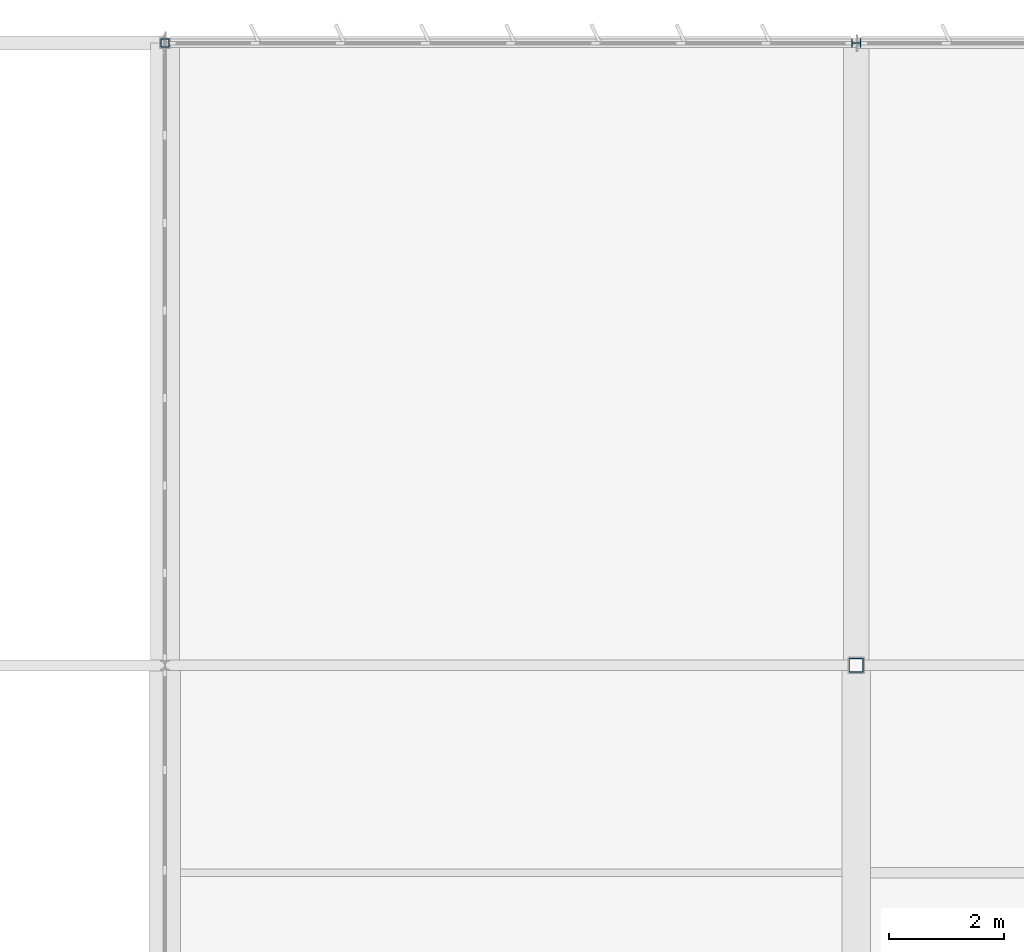
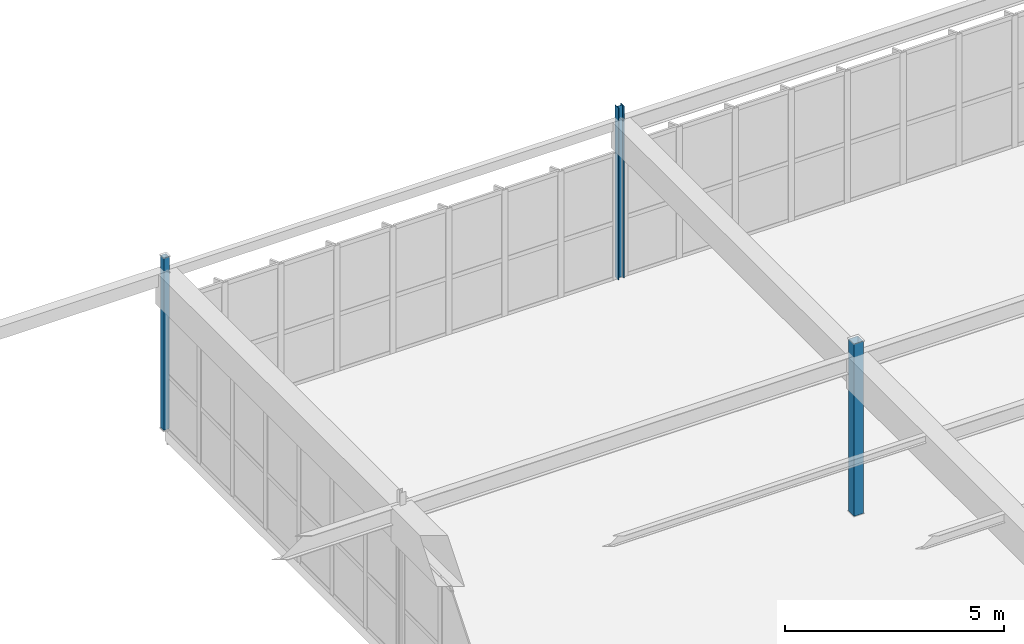
# One storey, part 51 of 186: 3 columns.
"""IFC4 building model written with IfcOpenShell, lengths in metres."""

from ifc_helpers import new_model, si_unit, direction, frame, origin, origin_2d, place, context, subcontext, project, spatial, hollow_rectangle, i_section, extrude, material, material_profile, profile_set, type_object, element, save


model = new_model("IFC4")

# Units and contexts
model_context = context("Model", 3, precision=1e-05, world=origin(), true_north=direction((0.0, 1.0)))
body_context = subcontext(model_context, "Body", "Model", "MODEL_VIEW")
ifc_project = project(units=[si_unit("LENGTHUNIT", "METRE"), si_unit("AREAUNIT", "SQUARE_METRE"), si_unit("VOLUMEUNIT", "CUBIC_METRE"), si_unit("PLANEANGLEUNIT", "RADIAN"), si_unit("MASSUNIT", "GRAM", prefix="KILO")], contexts=[model_context])

# Site, building, storey
site_placement = place(None, origin())
site = spatial("IfcSite", under=ifc_project, at=site_placement, CompositionType="ELEMENT")
building_placement = place(site_placement, origin())
building = spatial("IfcBuilding", under=site, at=building_placement, Name="Tarnwether General Hospital", CompositionType="ELEMENT")
storey_placement = place(building_placement, frame((0.0, 0.0, 9.60009765625)))
storey = spatial("IfcBuildingStorey", under=building, at=storey_placement, Name="L02", CompositionType="ELEMENT", Elevation=9.60009765625)

# Columns
ifc_material_1 = material(Name="Steel Grade C350L0 (350 MPa)", Category="steel")
ifc_material_profile_1 = material_profile(ifc_material_1, hollow_rectangle(XDim=0.25, YDim=0.25, WallThickness=0.012451171875, at=origin_2d()), Name="SHS250x250x12.5")
ifc_profile_set_1 = profile_set([ifc_material_profile_1], Name="Steel Grade C350L0 (350 MPa)")
column_type_1 = type_object("IfcColumnType", Name="COL-14", PredefinedType="COLUMN", material=ifc_profile_set_1)
column_1_placement = place(storey_placement, frame((156.0, 115.199951171875, 0.0), z_axis=(0.0, 0.0, 1.0), x_axis=(0.0, 1.0, 0.0)))
element("IfcColumn", 1, at=column_1_placement, inside=storey, type_object=column_type_1, Name="Column COLG-L02-15600_11520", PredefinedType="COLUMN", context=body_context, shape_type="SweptSolid", body=[
    extrude(hollow_rectangle(XDim=0.25, YDim=0.25, WallThickness=0.012451171875, at=origin_2d()), origin(), (0.0, 0.0, 1.0), 4.7998046875),
])
ifc_material_2 = material(Name="Steel Grade 350 (350 MPa)", Category="steel")
ifc_material_profile_2 = material_profile(ifc_material_2, i_section(OverallWidth=0.153076171875, OverallDepth=0.157958984375, WebThickness=0.006591796875, FlangeThickness=0.009521484375, at=origin_2d()), Name="150UC30.0")
ifc_profile_set_2 = profile_set([ifc_material_profile_2], Name="Steel Grade 350 (350 MPa)")
column_type_2 = type_object("IfcColumnType", Name="COL-31", PredefinedType="COLUMN", material=ifc_profile_set_2)
column_2_placement = place(storey_placement, frame((156.0, 126.0, 0.0), z_axis=(0.0, 0.0, 1.0), x_axis=(0.0, 1.0, 0.0)))
element("IfcColumn", 2, at=column_2_placement, inside=storey, type_object=column_type_2, Name="Column COLG-L02-15600_12600", PredefinedType="COLUMN", context=body_context, shape_type="SweptSolid", body=[
    extrude(i_section(OverallWidth=0.153076171875, OverallDepth=0.157958984375, WebThickness=0.006591796875, FlangeThickness=0.009521484375, at=origin_2d()), origin(), (0.0, 0.0, 1.0), 4.7998046875),
])
ifc_material_3 = material(Name="Steel Grade C350L0 (350 MPa)", Category="steel")
ifc_material_profile_3 = material_profile(ifc_material_3, hollow_rectangle(XDim=0.14990234375, YDim=0.14990234375, WallThickness=0.008056640625, at=origin_2d()), Name="SHS150x150x8")
ifc_profile_set_3 = profile_set([ifc_material_profile_3], Name="Steel Grade C350L0 (350 MPa)")
column_type_3 = type_object("IfcColumnType", Name="COL-33", PredefinedType="COLUMN", material=ifc_profile_set_3)
column_3_placement = place(storey_placement, frame((144.0, 126.0, 0.0), z_axis=(0.0, 0.0, 1.0), x_axis=(1.0, 0.0, 0.0)))
element("IfcColumn", 3, at=column_3_placement, inside=storey, type_object=column_type_3, Name="Column COLG-L02-14400_12600", PredefinedType="COLUMN", context=body_context, shape_type="SweptSolid", body=[
    extrude(hollow_rectangle(XDim=0.14990234375, YDim=0.14990234375, WallThickness=0.008056640625, at=origin_2d()), origin(), (0.0, 0.0, 1.0), 4.7998046875),
])

save(model, "model.ifc")
